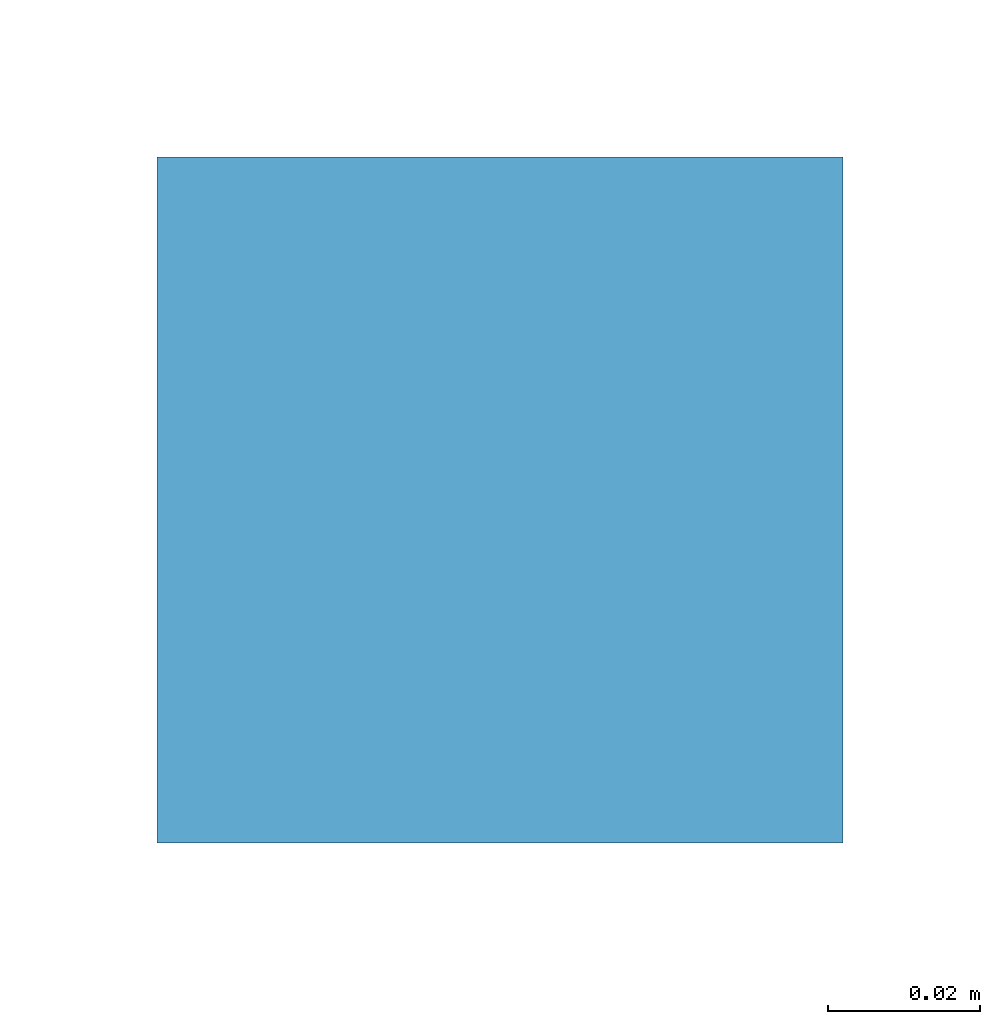
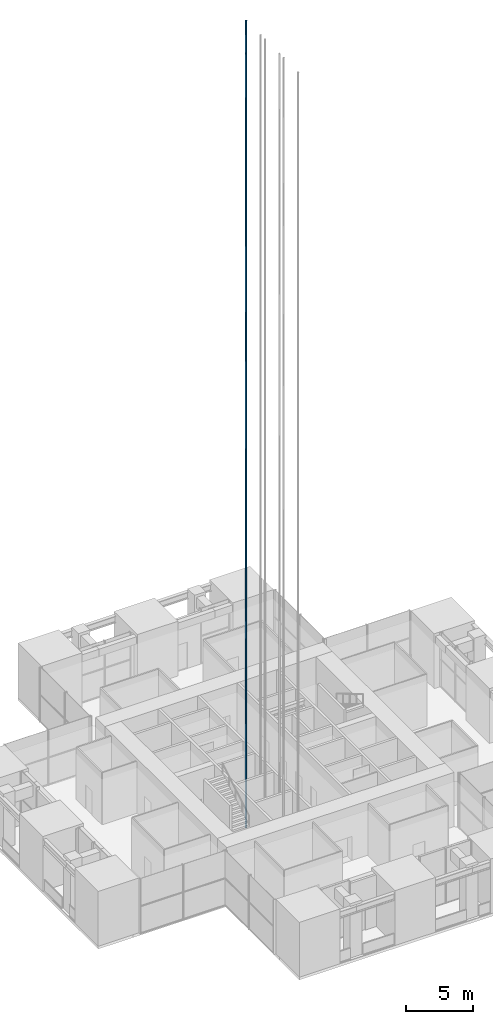
# One storey, part 13 of 17: 1 discrete accessory.
"""IFC4 building model written with IfcOpenShell, lengths in metres."""

from ifc_helpers import new_model, si_unit, direction, frame, origin, origin_2d, place, context, subcontext, project, spatial, rectangle, extrude, element, save


model = new_model("IFC4")

# Units and contexts
model_context = context("Model", 3, precision=1e-05, world=origin(), true_north=direction((0.0, 1.0)))
body_context = subcontext(model_context, "Body", "Model", "MODEL_VIEW")
ifc_project = project(units=[si_unit("LENGTHUNIT", "METRE"), si_unit("AREAUNIT", "SQUARE_METRE"), si_unit("VOLUMEUNIT", "CUBIC_METRE"), si_unit("PLANEANGLEUNIT", "RADIAN"), si_unit("MASSUNIT", "GRAM", prefix="KILO")], contexts=[model_context])

# Site, building, storey
site_placement = place(None, origin())
site = spatial("IfcSite", under=ifc_project, at=site_placement, CompositionType="ELEMENT")
building_placement = place(site_placement, origin())
building = spatial("IfcBuilding", under=site, at=building_placement, Name="Svetlomir Tower", CompositionType="ELEMENT")
storey_placement = place(building_placement, frame((0.0, 0.0, 165.5)))
storey = spatial("IfcBuildingStorey", under=building, at=storey_placement, Name="L39", CompositionType="ELEMENT", Elevation=165.5)

# Discrete accessory
discrete_accessory_placement = place(storey_placement, frame((18.300048828125, 20.574951171875, -1.400146484375), z_axis=(0.0, 0.0, 1.0), x_axis=(1.0, 0.0, 0.0)))
element("IfcDiscreteAccessory", 1, at=discrete_accessory_placement, inside=storey, Name="Lift LC3 guide rail 2", ObjectType="LIFT GUIDE RAIL", PredefinedType="USERDEFINED", context=body_context, shape_type="SweptSolid", body=[
    extrude(rectangle(XDim=0.090087890625, YDim=0.090087890625, at=origin_2d()), origin(), (0.0, 0.0, 1.0), 73.60009765625),
])

save(model, "model.ifc")
